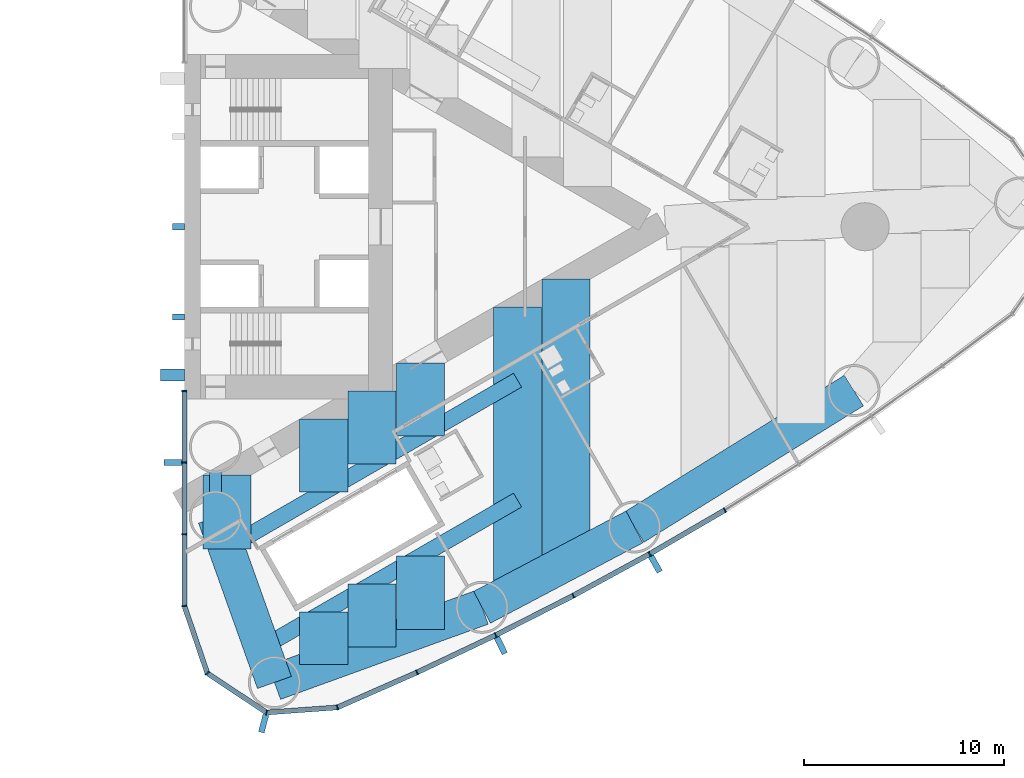
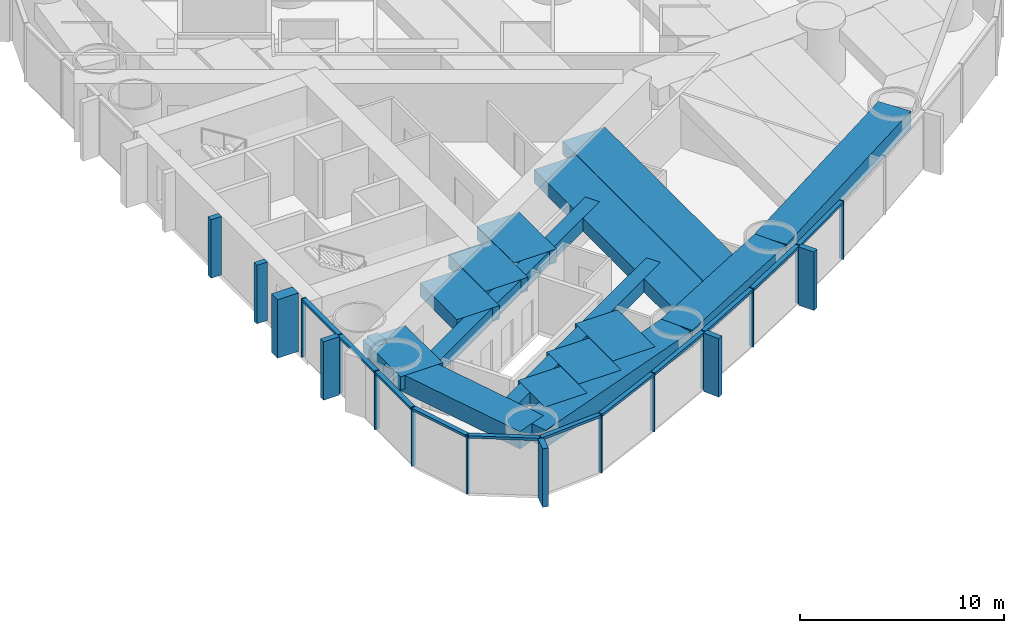
# One storey, part 6 of 18: 30 members, 16 beams, 1 element without a shape of its own.
"""IFC4 building model written with IfcOpenShell, lengths in metres."""

from ifc_helpers import new_model, si_unit, direction, frame, origin, origin_2d, place, context, subcontext, project, spatial, rectangle, hollow_rectangle, extrude, material, material_profile, profile_set, type_object, element, aggregate, save


model = new_model("IFC4")

# Units and contexts
model_context = context("Model", 3, precision=1e-05, world=origin(), true_north=direction((0.0, 1.0)))
body_context = subcontext(model_context, "Body", "Model", "MODEL_VIEW")
ifc_project = project(units=[si_unit("LENGTHUNIT", "METRE"), si_unit("AREAUNIT", "SQUARE_METRE"), si_unit("VOLUMEUNIT", "CUBIC_METRE"), si_unit("PLANEANGLEUNIT", "RADIAN"), si_unit("MASSUNIT", "GRAM", prefix="KILO")], contexts=[model_context])

# Site, building, storey
site_placement = place(None, origin())
site = spatial("IfcSite", under=ifc_project, at=site_placement, CompositionType="ELEMENT")
building_placement = place(site_placement, origin())
building = spatial("IfcBuilding", under=site, at=building_placement, Name="Lancet Gate Hotel", CompositionType="ELEMENT")
storey_placement = place(building_placement, frame((0.0, 0.0, 136.10009765625)))
storey = spatial("IfcBuildingStorey", under=building, at=storey_placement, Name="L36", CompositionType="ELEMENT", Elevation=136.10009765625)

# Curtain wall, members
ifc_material_1 = material(Name="Aluminium curtain wall", Category="aluminium")
curtain_wall_type = type_object("IfcCurtainWallType", Name="Tower unitised curtain wall", PredefinedType="USERDEFINED", material=ifc_material_1)
curtain_wall_placement = place(storey_placement, origin())
curtain_wall = element("IfcCurtainWall", 1, at=curtain_wall_placement, inside=storey, type_object=curtain_wall_type, Name="T2 L36 curtain wall 1", ObjectType="UNITISED CURTAIN WALL", PredefinedType="USERDEFINED")
ifc_material_2 = material(Name="Aluminium mullion", Category="aluminium")
ifc_material_profile_1 = material_profile(ifc_material_2, rectangle(XDim=0.06494140625, YDim=0.25, at=origin_2d()), Name="MULLION 65x250")
ifc_profile_set_1 = profile_set([ifc_material_profile_1], Name="Aluminium mullion")
member_type_1 = type_object("IfcMemberType", Name="Aluminium mullion 65x250", PredefinedType="MULLION", material=ifc_profile_set_1)
member_1_placement = place(storey_placement, frame((27.5, -8.199951171875, 0.0), z_axis=(0.0, 0.0, 1.0), x_axis=(0.0, -1.0, 0.0)))
member_1 = element("IfcMember", 2, at=member_1_placement, type_object=member_type_1, Name="T2 L36 curtain wall 1 mullion 1", PredefinedType="MULLION", context=body_context, shape_type="SweptSolid", body=[
    extrude(rectangle(XDim=0.06494140625, YDim=0.25, at=origin_2d()), origin(), (0.0, 0.0, 1.0), 3.5),
])
member_2_placement = place(storey_placement, frame((27.5, -11.781005859375, 0.0), z_axis=(0.0, 0.0, 1.0), x_axis=(0.0, -1.0, 0.0)))
member_2 = element("IfcMember", 3, at=member_2_placement, type_object=member_type_1, Name="T2 L36 curtain wall 1 mullion 2", PredefinedType="MULLION", context=body_context, shape_type="SweptSolid", body=[
    extrude(rectangle(XDim=0.06494140625, YDim=0.25, at=origin_2d()), origin(), (0.0, 0.0, 1.0), 3.5),
])
member_3_placement = place(storey_placement, frame((27.5, -15.362060546875, 0.0), z_axis=(0.0, 0.0, 1.0), x_axis=(0.0, -1.0, 0.0)))
member_3 = element("IfcMember", 4, at=member_3_placement, type_object=member_type_1, Name="T2 L36 curtain wall 1 mullion 3", PredefinedType="MULLION", context=body_context, shape_type="SweptSolid", body=[
    extrude(rectangle(XDim=0.06494140625, YDim=0.25, at=origin_2d()), origin(), (0.0, 0.0, 1.0), 3.5),
])
member_4_placement = place(storey_placement, frame((27.5, -18.94287109375, 0.0), z_axis=(0.0, 0.0, 1.0), x_axis=(0.162738742557, -0.986669195663, 0.0)))
member_4 = element("IfcMember", 5, at=member_4_placement, type_object=member_type_1, Name="T2 L36 curtain wall 1 mullion 4", PredefinedType="MULLION", context=body_context, shape_type="SweptSolid", body=[
    extrude(rectangle(XDim=0.06494140625, YDim=0.25, at=origin_2d()), origin(), (0.0, 0.0, 1.0), 3.5),
])
member_5_placement = place(storey_placement, frame((28.64453125, -22.301513671875, 0.0), z_axis=(0.0, 0.0, 1.0), x_axis=(0.610663954798, -0.79188984986, 0.0)))
member_5 = element("IfcMember", 6, at=member_5_placement, type_object=member_type_1, Name="T2 L36 curtain wall 1 mullion 5", PredefinedType="MULLION", context=body_context, shape_type="SweptSolid", body=[
    extrude(rectangle(XDim=0.06494140625, YDim=0.25, at=origin_2d()), origin(), (0.0, 0.0, 1.0), 3.5),
])
member_6_placement = place(storey_placement, frame((31.60205078125, -24.26220703125, 0.0), z_axis=(0.0, 0.0, 1.0), x_axis=(0.967157174963, -0.254179068604, 0.0)))
member_6 = element("IfcMember", 7, at=member_6_placement, type_object=member_type_1, Name="T2 L36 curtain wall 1 mullion 6", PredefinedType="MULLION", context=body_context, shape_type="SweptSolid", body=[
    extrude(rectangle(XDim=0.06494140625, YDim=0.25, at=origin_2d()), origin(), (0.0, 0.0, 1.0), 3.5),
])
member_7_placement = place(storey_placement, frame((35.141357421875, -24.009033203125, 0.0), z_axis=(0.0, 0.0, 1.0), x_axis=(0.966317378791, 0.257353304711, 0.0)))
member_7 = element("IfcMember", 8, at=member_7_placement, type_object=member_type_1, Name="T2 L36 curtain wall 1 mullion 7", PredefinedType="MULLION", context=body_context, shape_type="SweptSolid", body=[
    extrude(rectangle(XDim=0.06494140625, YDim=0.25, at=origin_2d()), origin(), (0.0, 0.0, 1.0), 3.5),
])
member_8_placement = place(storey_placement, frame((39.12109375, -22.259765625, 0.0), z_axis=(0.0, 0.0, 1.0), x_axis=(0.909672766767, 0.415325724465, 0.0)))
member_8 = element("IfcMember", 9, at=member_8_placement, type_object=member_type_1, Name="T2 L36 curtain wall 1 mullion 8", PredefinedType="MULLION", context=body_context, shape_type="SweptSolid", body=[
    extrude(rectangle(XDim=0.06494140625, YDim=0.25, at=origin_2d()), origin(), (0.0, 0.0, 1.0), 3.5),
])
member_9_placement = place(storey_placement, frame((43.0498046875, -20.398193359375, 0.0), z_axis=(0.0, 0.0, 1.0), x_axis=(0.897511886496, 0.440990264743, 0.0)))
member_9 = element("IfcMember", 10, at=member_9_placement, type_object=member_type_1, Name="T2 L36 curtain wall 1 mullion 9", PredefinedType="MULLION", context=body_context, shape_type="SweptSolid", body=[
    extrude(rectangle(XDim=0.06494140625, YDim=0.25, at=origin_2d()), origin(), (0.0, 0.0, 1.0), 3.5),
])
member_10_placement = place(storey_placement, frame((46.923828125, -18.426025390625, 0.0), z_axis=(0.0, 0.0, 1.0), x_axis=(0.884627112962, 0.466299121822, 0.0)))
member_10 = element("IfcMember", 11, at=member_10_placement, type_object=member_type_1, Name="T2 L36 curtain wall 1 mullion 10", PredefinedType="MULLION", context=body_context, shape_type="SweptSolid", body=[
    extrude(rectangle(XDim=0.06494140625, YDim=0.25, at=origin_2d()), origin(), (0.0, 0.0, 1.0), 3.5),
])
member_11_placement = place(storey_placement, frame((50.740478515625, -16.344482421875, 0.0), z_axis=(0.0, 0.0, 1.0), x_axis=(0.871028838445, 0.491231882716, 0.0)))
member_11 = element("IfcMember", 12, at=member_11_placement, type_object=member_type_1, Name="T2 L36 curtain wall 1 mullion 11", PredefinedType="MULLION", context=body_context, shape_type="SweptSolid", body=[
    extrude(rectangle(XDim=0.06494140625, YDim=0.25, at=origin_2d()), origin(), (0.0, 0.0, 1.0), 3.5),
])
member_12_placement = place(storey_placement, frame((54.496337890625, -14.1552734375, 0.0), z_axis=(0.0, 0.0, 1.0), x_axis=(0.856728030701, 0.515768437781, 0.0)))
member_12 = element("IfcMember", 13, at=member_12_placement, type_object=member_type_1, Name="T2 L36 curtain wall 1 mullion 12", PredefinedType="MULLION", context=body_context, shape_type="SweptSolid", body=[
    extrude(rectangle(XDim=0.06494140625, YDim=0.25, at=origin_2d()), origin(), (0.0, 0.0, 1.0), 3.5),
])
ifc_material_3 = material(Name="Aluminium transom", Category="aluminium")
ifc_material_profile_2 = material_profile(ifc_material_3, rectangle(XDim=0.25, YDim=0.14990234375, at=origin_2d()), Name="TRANSOM 250x150")
ifc_profile_set_2 = profile_set([ifc_material_profile_2], Name="Aluminium transom")
member_type_2 = type_object("IfcMemberType", Name="Aluminium transom 250x150", PredefinedType="USERDEFINED", material=ifc_profile_set_2)
member_13_placement = place(storey_placement, frame((27.5, -8.232421875, 3.4248046875), z_axis=(0.0, -1.0, 0.0), x_axis=(1.0, 0.0, 0.0)))
member_13 = element("IfcMember", 14, at=member_13_placement, type_object=member_type_2, Name="T2 L36 curtain wall 1 transom 1", ObjectType="TRANSOM", PredefinedType="USERDEFINED", context=body_context, shape_type="SweptSolid", body=[
    extrude(rectangle(XDim=0.25, YDim=0.14990234375, at=origin_2d()), origin(), (0.0, 0.0, 1.0), 3.51611328125),
])
member_14_placement = place(storey_placement, frame((27.5, -11.8134765625, 3.4248046875), z_axis=(0.0, -1.0, 0.0), x_axis=(1.0, 0.0, 0.0)))
member_14 = element("IfcMember", 15, at=member_14_placement, type_object=member_type_2, Name="T2 L36 curtain wall 1 transom 2", ObjectType="TRANSOM", PredefinedType="USERDEFINED", context=body_context, shape_type="SweptSolid", body=[
    extrude(rectangle(XDim=0.25, YDim=0.14990234375, at=origin_2d()), origin(), (0.0, 0.0, 1.0), 3.515869140625),
])
member_15_placement = place(storey_placement, frame((27.5, -15.39453125, 3.4248046875), z_axis=(0.0, -1.0, 0.0), x_axis=(1.0, 0.0, 0.0)))
member_15 = element("IfcMember", 16, at=member_15_placement, type_object=member_type_2, Name="T2 L36 curtain wall 1 transom 3", ObjectType="TRANSOM", PredefinedType="USERDEFINED", context=body_context, shape_type="SweptSolid", body=[
    extrude(rectangle(XDim=0.25, YDim=0.14990234375, at=origin_2d()), origin(), (0.0, 0.0, 1.0), 3.515869140625),
])
member_16_placement = place(storey_placement, frame((27.510498046875, -18.9736328125, 3.4248046875), z_axis=(0.322549769135, -0.946552505903, 0.0), x_axis=(0.946552505903, 0.322549769135, 0.0)))
member_16 = element("IfcMember", 17, at=member_16_placement, type_object=member_type_2, Name="T2 L36 curtain wall 1 transom 4", ObjectType="TRANSOM", PredefinedType="USERDEFINED", context=body_context, shape_type="SweptSolid", body=[
    extrude(rectangle(XDim=0.25, YDim=0.14990234375, at=origin_2d()), origin(), (0.0, 0.0, 1.0), 3.4833984375),
])
member_17_placement = place(storey_placement, frame((28.671630859375, -22.319580078125, 3.4248046875), z_axis=(0.833470854141, -0.552563421968, 0.0), x_axis=(0.552563421968, 0.833470854141, 0.0)))
member_17 = element("IfcMember", 18, at=member_17_placement, type_object=member_type_2, Name="T2 L36 curtain wall 1 transom 5", ObjectType="TRANSOM", PredefinedType="USERDEFINED", context=body_context, shape_type="SweptSolid", body=[
    extrude(rectangle(XDim=0.25, YDim=0.14990234375, at=origin_2d()), origin(), (0.0, 0.0, 1.0), 3.4833984375),
])
member_18_placement = place(storey_placement, frame((31.634521484375, -24.260009765625, 3.4248046875), z_axis=(0.997446232115, 0.071421383636, 0.0), x_axis=(-0.071421383636, 0.997446232115, 0.0)))
member_18 = element("IfcMember", 19, at=member_18_placement, type_object=member_type_2, Name="T2 L36 curtain wall 1 transom 6", ObjectType="TRANSOM", PredefinedType="USERDEFINED", context=body_context, shape_type="SweptSolid", body=[
    extrude(rectangle(XDim=0.25, YDim=0.14990234375, at=origin_2d()), origin(), (0.0, 0.0, 1.0), 3.483154296875),
])
member_19_placement = place(storey_placement, frame((35.171142578125, -23.995849609375, 3.4248046875), z_axis=(0.915484772266, 0.402352621155, 0.0), x_axis=(-0.402352621155, 0.915484772266, 0.0)))
member_19 = element("IfcMember", 20, at=member_19_placement, type_object=member_type_2, Name="T2 L36 curtain wall 1 transom 7", ObjectType="TRANSOM", PredefinedType="USERDEFINED", context=body_context, shape_type="SweptSolid", body=[
    extrude(rectangle(XDim=0.25, YDim=0.14990234375, at=origin_2d()), origin(), (0.0, 0.0, 1.0), 4.281982421875),
])
member_20_placement = place(storey_placement, frame((39.150634765625, -22.245849609375, 3.4248046875), z_axis=(0.903679787814, 0.428208875546, 0.0), x_axis=(-0.428208875546, 0.903679787814, 0.0)))
member_20 = element("IfcMember", 21, at=member_20_placement, type_object=member_type_2, Name="T2 L36 curtain wall 1 transom 8", ObjectType="TRANSOM", PredefinedType="USERDEFINED", context=body_context, shape_type="SweptSolid", body=[
    extrude(rectangle(XDim=0.25, YDim=0.14990234375, at=origin_2d()), origin(), (0.0, 0.0, 1.0), 4.282470703125),
])
member_21_placement = place(storey_placement, frame((43.07861328125, -20.383544921875, 3.4248046875), z_axis=(0.891165630033, 0.453678101574, 0.0), x_axis=(-0.453678101574, 0.891165630033, 0.0)))
member_21 = element("IfcMember", 22, at=member_21_placement, type_object=member_type_2, Name="T2 L36 curtain wall 1 transom 9", ObjectType="TRANSOM", PredefinedType="USERDEFINED", context=body_context, shape_type="SweptSolid", body=[
    extrude(rectangle(XDim=0.25, YDim=0.14990234375, at=origin_2d()), origin(), (0.0, 0.0, 1.0), 4.282470703125),
])
member_22_placement = place(storey_placement, frame((46.952392578125, -18.410400390625, 3.4248046875), z_axis=(0.877906466435, 0.478832158685, 0.0), x_axis=(-0.478832158685, 0.877906466435, 0.0)))
member_22 = element("IfcMember", 23, at=member_22_placement, type_object=member_type_2, Name="T2 L36 curtain wall 1 transom 10", ObjectType="TRANSOM", PredefinedType="USERDEFINED", context=body_context, shape_type="SweptSolid", body=[
    extrude(rectangle(XDim=0.25, YDim=0.14990234375, at=origin_2d()), origin(), (0.0, 0.0, 1.0), 4.282470703125),
])
member_23_placement = place(storey_placement, frame((50.7685546875, -16.327880859375, 3.4248046875), z_axis=(0.863973212152, 0.503537772847, 0.0), x_axis=(-0.503537772847, 0.863973212152, 0.0)))
member_23 = element("IfcMember", 24, at=member_23_placement, type_object=member_type_2, Name="T2 L36 curtain wall 1 transom 11", ObjectType="TRANSOM", PredefinedType="USERDEFINED", context=body_context, shape_type="SweptSolid", body=[
    extrude(rectangle(XDim=0.25, YDim=0.14990234375, at=origin_2d()), origin(), (0.0, 0.0, 1.0), 4.2822265625),
])

# Beams
ifc_material_4 = material(Name="Concrete C50/60", Category="concrete")
ifc_material_profile_3 = material_profile(ifc_material_4, rectangle(XDim=1.800048828125, YDim=1.050048828125, at=origin_2d()), Name="RC 1800x1050")
ifc_profile_set_3 = profile_set([ifc_material_profile_3], Name="Concrete C50/60")
beam_type_1 = type_object("IfcBeamType", Name="Edge beam RC 1800x1050", PredefinedType="SPANDREL", material=ifc_profile_set_3)
beam_1_placement = place(storey_placement, frame((31.99609375, -22.76318359375, 2.724853515625), z_axis=(0.940225039526, 0.340553777029, 0.0), x_axis=(-0.340553777029, 0.940225039526, 0.0)))
element("IfcBeam", 25, at=beam_1_placement, inside=storey, type_object=beam_type_1, Name="T2 edge beam EB1 L36", PredefinedType="SPANDREL", context=body_context, shape_type="SweptSolid", body=[
    extrude(rectangle(XDim=1.800048828125, YDim=1.050048828125, at=origin_2d()), origin(), (0.0, 0.0, 1.0), 11.029296875),
])
beam_2_placement = place(storey_placement, frame((42.3662109375, -19.007080078125, 2.724853515625), z_axis=(0.884632510133, 0.466288882578, 0.0), x_axis=(-0.466288882578, 0.884632510133, 0.0)))
element("IfcBeam", 26, at=beam_2_placement, inside=storey, type_object=beam_type_1, Name="T2 edge beam EB1 L36", PredefinedType="SPANDREL", context=body_context, shape_type="SweptSolid", body=[
    extrude(rectangle(XDim=1.800048828125, YDim=1.050048828125, at=origin_2d()), origin(), (0.0, 0.0, 1.0), 8.605712890625),
])
beam_3_placement = place(storey_placement, frame((49.97900390625, -14.994384765625, 2.724853515625), z_axis=(0.849312372751, 0.527890607505, 0.0), x_axis=(-0.527890607505, 0.849312372751, 0.0)))
element("IfcBeam", 27, at=beam_3_placement, inside=storey, type_object=beam_type_1, Name="T2 edge beam EB1 L36", PredefinedType="SPANDREL", context=body_context, shape_type="SweptSolid", body=[
    extrude(rectangle(XDim=1.800048828125, YDim=1.050048828125, at=origin_2d()), origin(), (0.0, 0.0, 1.0), 12.906494140625),
])
beam_4_placement = place(storey_placement, frame((31.99609375, -22.76318359375, 2.724853515625), z_axis=(-0.335821559388, 0.941925623523, 0.0), x_axis=(-0.941925623523, -0.335821559388, 0.0)))
element("IfcBeam", 28, at=beam_4_placement, inside=storey, type_object=beam_type_1, Name="T2 edge beam EB1 L36", PredefinedType="SPANDREL", context=body_context, shape_type="SweptSolid", body=[
    extrude(rectangle(XDim=1.800048828125, YDim=1.050048828125, at=origin_2d()), origin(), (0.0, 0.0, 1.0), 8.772705078125),
])

# Member
ifc_material_5 = material(Name="Concrete C60/75", Category="concrete")
ifc_material_profile_4 = material_profile(ifc_material_5, rectangle(XDim=0.60009765625, YDim=1.199951171875, at=origin_2d()), Name="FIN 600x1200")
ifc_profile_set_4 = profile_set([ifc_material_profile_4], Name="Concrete C60/75")
member_type_3 = type_object("IfcMemberType", Name="Exposed concrete buttress pilaster 600x1200", PredefinedType="USERDEFINED", material=ifc_profile_set_4)
member_24_placement = place(storey_placement, frame((26.909912109375, -7.39990234375, 0.0), z_axis=(0.0, 0.0, 1.0), x_axis=(0.0, 1.0, 0.0)))
element("IfcMember", 29, at=member_24_placement, inside=storey, type_object=member_type_3, Name="T2 buttress pilaster S L36", ObjectType="FIN", PredefinedType="USERDEFINED", context=body_context, shape_type="SweptSolid", body=[
    extrude(rectangle(XDim=0.60009765625, YDim=1.199951171875, at=origin_2d()), origin(), (0.0, 0.0, 1.0), 3.5),
])

ifc_material_6 = material(Name="Precast concrete C50/60", Category="concrete")
ifc_material_profile_5 = material_profile(ifc_material_6, rectangle(XDim=0.300048828125, YDim=0.89990234375, at=origin_2d()), Name="FIN 300x900")
ifc_profile_set_5 = profile_set([ifc_material_profile_5], Name="Precast concrete C50/60")
member_type_4 = type_object("IfcMemberType", Name="Exposed concrete fin 300x900", PredefinedType="USERDEFINED", material=ifc_profile_set_5)
member_25_placement = place(storey_placement, frame((26.925048828125, -11.781005859375, 0.0), z_axis=(0.0, 0.0, 1.0), x_axis=(0.0, -1.0, 0.0)))
member_25 = element("IfcMember", 30, at=member_25_placement, type_object=member_type_4, Name="T2 L36 curtain wall 1 fin 2", ObjectType="FIN", PredefinedType="USERDEFINED", context=body_context, shape_type="SweptSolid", body=[
    extrude(rectangle(XDim=0.300048828125, YDim=0.89990234375, at=origin_2d()), origin(), (0.0, 0.0, 1.0), 3.5),
])

member_26_placement = place(storey_placement, frame((31.455810546875, -24.818359375, 0.0), z_axis=(0.0, 0.0, 1.0), x_axis=(0.967157174963, -0.254179068604, 0.0)))
member_26 = element("IfcMember", 31, at=member_26_placement, type_object=member_type_4, Name="T2 L36 curtain wall 1 fin 6", ObjectType="FIN", PredefinedType="USERDEFINED", context=body_context, shape_type="SweptSolid", body=[
    extrude(rectangle(XDim=0.300048828125, YDim=0.89990234375, at=origin_2d()), origin(), (0.0, 0.0, 1.0), 3.5),
])

member_27_placement = place(storey_placement, frame((43.30322265625, -20.914306640625, 0.0), z_axis=(0.0, 0.0, 1.0), x_axis=(0.897511886496, 0.440990264743, 0.0)))
member_27 = element("IfcMember", 32, at=member_27_placement, type_object=member_type_4, Name="T2 L36 curtain wall 1 fin 9", ObjectType="FIN", PredefinedType="USERDEFINED", context=body_context, shape_type="SweptSolid", body=[
    extrude(rectangle(XDim=0.300048828125, YDim=0.89990234375, at=origin_2d()), origin(), (0.0, 0.0, 1.0), 3.5),
])

member_28_placement = place(storey_placement, frame((51.02294921875, -16.84521484375, 0.0), z_axis=(0.0, 0.0, 1.0), x_axis=(0.871028838445, 0.491231882716, 0.0)))
member_28 = element("IfcMember", 33, at=member_28_placement, type_object=member_type_4, Name="T2 L36 curtain wall 1 fin 11", ObjectType="FIN", PredefinedType="USERDEFINED", context=body_context, shape_type="SweptSolid", body=[
    extrude(rectangle(XDim=0.300048828125, YDim=0.89990234375, at=origin_2d()), origin(), (0.0, 0.0, 1.0), 3.5),
])

aggregate(curtain_wall, [member_1, member_2, member_25, member_3, member_4, member_5, member_6, member_26, member_7, member_8, member_9, member_27, member_10, member_11, member_28, member_12, member_13, member_14, member_15, member_16, member_17, member_18, member_19, member_20, member_21, member_22, member_23])

# Members
ifc_material_7 = material(Name="Concrete C60/75", Category="concrete")
ifc_material_profile_6 = material_profile(ifc_material_7, rectangle(XDim=0.300048828125, YDim=0.60009765625, at=origin_2d()), Name="FIN 300x600")
ifc_profile_set_6 = profile_set([ifc_material_profile_6], Name="Concrete C60/75")
member_type_5 = type_object("IfcMemberType", Name="Exposed concrete rib 300x600", PredefinedType="USERDEFINED", material=ifc_profile_set_6)
for number, where, z_axis, x_axis, name in (
    (34, (27.2099609375, -4.5, 0.0), (0.0, 0.0, 1.0), (0.0, 1.0, 0.0), "T2 core rib 1 L36"),
    (35, (27.2099609375, 0.0, 0.0), (0.0, 0.0, 1.0), (0.0, 1.0, 0.0), "T2 core rib 2 L36"),
):
    element("IfcMember", number, at=place(storey_placement, frame(where, z_axis=z_axis, x_axis=x_axis)), inside=storey, type_object=member_type_5, Name=name, ObjectType="FIN", PredefinedType="USERDEFINED", context=body_context, shape_type="SweptSolid", body=[
        extrude(rectangle(XDim=0.300048828125, YDim=0.60009765625, at=origin_2d()), origin(), (0.0, 0.0, 1.0), 3.5),
    ])

# Beams
ifc_material_8 = material(Name="Concrete C50/60", Category="concrete")
ifc_material_profile_7 = material_profile(ifc_material_8, rectangle(XDim=2.39990234375, YDim=0.800048828125, at=origin_2d()), Name="RC 2400x800")
ifc_profile_set_7 = profile_set([ifc_material_profile_7], Name="Concrete C50/60")
beam_type_2 = type_object("IfcBeamType", Name="Floor beam RC 2400x800", PredefinedType="BEAM", material=ifc_profile_set_7)
beam_5_placement = place(storey_placement, frame((29.6201171875, -16.099365234375, 2.849853515625), z_axis=(0.0, 1.0, 0.0), x_axis=(-1.0, 0.0, 0.0)))
element("IfcBeam", 36, at=beam_5_placement, inside=storey, type_object=beam_type_2, Name="T2 floor beam F01S L36", PredefinedType="BEAM", context=body_context, shape_type="SweptSolid", body=[
    extrude(rectangle(XDim=2.39990234375, YDim=0.800048828125, at=origin_2d()), origin(), (0.0, 0.0, 1.0), 3.69677734375),
])
beam_6_placement = place(storey_placement, frame((44.1416015625, -18.0712890625, 2.849853515625), z_axis=(0.0, 1.0, 0.0), x_axis=(-1.0, 0.0, 0.0)))
element("IfcBeam", 37, at=beam_6_placement, inside=storey, type_object=beam_type_2, Name="T2 floor beam F09S L36", PredefinedType="BEAM", context=body_context, shape_type="SweptSolid", body=[
    extrude(rectangle(XDim=2.39990234375, YDim=0.800048828125, at=origin_2d()), origin(), (0.0, 0.0, 1.0), 14.052490234375),
])
beam_7_placement = place(storey_placement, frame((46.561767578125, -16.795654296875, 2.849853515625), z_axis=(0.0, 1.0, 0.0), x_axis=(-1.0, 0.0, 0.0)))
element("IfcBeam", 38, at=beam_7_placement, inside=storey, type_object=beam_type_2, Name="T2 floor beam F11S L36", PredefinedType="BEAM", context=body_context, shape_type="SweptSolid", body=[
    extrude(rectangle(XDim=2.39990234375, YDim=0.800048828125, at=origin_2d()), origin(), (0.0, 0.0, 1.0), 14.17431640625),
])
beam_8_placement = place(storey_placement, frame((34.460693359375, -21.87060546875, 2.849853515625), z_axis=(0.0, 1.0, 0.0), x_axis=(-1.0, 0.0, 0.0)))
element("IfcBeam", 39, at=beam_8_placement, inside=storey, type_object=beam_type_2, Name="T2 floor beam F03SA L36", PredefinedType="BEAM", context=body_context, shape_type="SweptSolid", body=[
    extrude(rectangle(XDim=2.39990234375, YDim=0.800048828125, at=origin_2d()), origin(), (0.0, 0.0, 1.0), 2.62939453125),
])
beam_9_placement = place(storey_placement, frame((34.460693359375, -13.253662109375, 2.849853515625), z_axis=(0.0, 1.0, 0.0), x_axis=(-1.0, 0.0, 0.0)))
element("IfcBeam", 40, at=beam_9_placement, inside=storey, type_object=beam_type_2, Name="T2 floor beam F03SB L36", PredefinedType="BEAM", context=body_context, shape_type="SweptSolid", body=[
    extrude(rectangle(XDim=2.39990234375, YDim=0.800048828125, at=origin_2d()), origin(), (0.0, 0.0, 1.0), 3.645751953125),
])
beam_10_placement = place(storey_placement, frame((36.880859375, -20.993896484375, 2.849853515625), z_axis=(0.0, 1.0, 0.0), x_axis=(-1.0, 0.0, 0.0)))
element("IfcBeam", 41, at=beam_10_placement, inside=storey, type_object=beam_type_2, Name="T2 floor beam F05SA L36", PredefinedType="BEAM", context=body_context, shape_type="SweptSolid", body=[
    extrude(rectangle(XDim=2.39990234375, YDim=0.800048828125, at=origin_2d()), origin(), (0.0, 0.0, 1.0), 3.150146484375),
])
beam_11_placement = place(storey_placement, frame((36.880859375, -11.8564453125, 2.849853515625), z_axis=(0.0, 1.0, 0.0), x_axis=(-1.0, 0.0, 0.0)))
element("IfcBeam", 42, at=beam_11_placement, inside=storey, type_object=beam_type_2, Name="T2 floor beam F05SB L36", PredefinedType="BEAM", context=body_context, shape_type="SweptSolid", body=[
    extrude(rectangle(XDim=2.39990234375, YDim=0.800048828125, at=origin_2d()), origin(), (0.0, 0.0, 1.0), 3.645751953125),
])
beam_12_placement = place(storey_placement, frame((39.301025390625, -20.1171875, 2.849853515625), z_axis=(0.0, 1.0, 0.0), x_axis=(-1.0, 0.0, 0.0)))
element("IfcBeam", 43, at=beam_12_placement, inside=storey, type_object=beam_type_2, Name="T2 floor beam F07SA L36", PredefinedType="BEAM", context=body_context, shape_type="SweptSolid", body=[
    extrude(rectangle(XDim=2.39990234375, YDim=0.800048828125, at=origin_2d()), origin(), (0.0, 0.0, 1.0), 3.670654296875),
])
beam_13_placement = place(storey_placement, frame((39.301025390625, -10.458984375, 2.849853515625), z_axis=(0.0, 1.0, 0.0), x_axis=(-1.0, 0.0, 0.0)))
element("IfcBeam", 44, at=beam_13_placement, inside=storey, type_object=beam_type_2, Name="T2 floor beam F07SB L36", PredefinedType="BEAM", context=body_context, shape_type="SweptSolid", body=[
    extrude(rectangle(XDim=2.39990234375, YDim=0.800048828125, at=origin_2d()), origin(), (0.0, 0.0, 1.0), 3.6455078125),
])
ifc_material_9 = material(Name="Steel S460QL", Category="steel")
ifc_material_profile_8 = material_profile(ifc_material_9, hollow_rectangle(XDim=0.60009765625, YDim=1.5, WallThickness=0.050048828125, at=origin_2d()), Name="BOX 1500x600x50")
ifc_profile_set_8 = profile_set([ifc_material_profile_8], Name="Steel S460QL")
beam_type_3 = type_object("IfcBeamType", Name="Inner-face link beam BOX 1500x600x50", PredefinedType="BEAM", material=ifc_profile_set_8)
beam_14_placement = place(storey_placement, frame((29.050048828125, -13.25, 2.5), z_axis=(0.0, 1.0, 0.0), x_axis=(-1.0, 0.0, 0.0)))
element("IfcBeam", 45, at=beam_14_placement, inside=storey, type_object=beam_type_3, Name="T2 inner-face link beam LK1 L36", PredefinedType="BEAM", context=body_context, shape_type="SweptSolid", body=[
    extrude(hollow_rectangle(XDim=0.60009765625, YDim=1.5, WallThickness=0.050048828125, at=origin_2d()), origin(), (0.0, 0.0, 1.0), 1.0),
])
ifc_material_10 = material(Name="Steel S460QL", Category="steel")
ifc_material_profile_9 = material_profile(ifc_material_10, hollow_rectangle(XDim=0.800048828125, YDim=0.800048828125, WallThickness=0.080078125, at=origin_2d()), Name="BOX 800x800x80")
ifc_profile_set_9 = profile_set([ifc_material_profile_9], Name="Steel S460QL")
beam_type_4 = type_object("IfcBeamType", Name="Trimmer beam BOX 800x800x80", PredefinedType="BEAM", material=ifc_profile_set_9)
beam_15_placement = place(storey_placement, frame((29.6201171875, -16.048095703125, 2.849853515625), z_axis=(0.866036714307, 0.499980409089, 0.0), x_axis=(-0.499980409089, 0.866036714307, 0.0)))
element("IfcBeam", 46, at=beam_15_placement, inside=storey, type_object=beam_type_4, Name="T2 trimmer beam TR01S L36", PredefinedType="BEAM", context=body_context, shape_type="SweptSolid", body=[
    extrude(hollow_rectangle(XDim=0.800048828125, YDim=0.800048828125, WallThickness=0.080078125, at=origin_2d()), origin(), (0.0, 0.0, 1.0), 16.767822265625),
])
beam_16_placement = place(storey_placement, frame((31.375244140625, -21.0224609375, 2.849853515625), z_axis=(0.86603417384, 0.49998480951, 0.0), x_axis=(-0.49998480951, 0.86603417384, 0.0)))
element("IfcBeam", 47, at=beam_16_placement, inside=storey, type_object=beam_type_4, Name="T2 trimmer beam TR02S L36", PredefinedType="BEAM", context=body_context, shape_type="SweptSolid", body=[
    extrude(hollow_rectangle(XDim=0.800048828125, YDim=0.800048828125, WallThickness=0.080078125, at=origin_2d()), origin(), (0.0, 0.0, 1.0), 14.7412109375),
])

save(model, "model.ifc")
